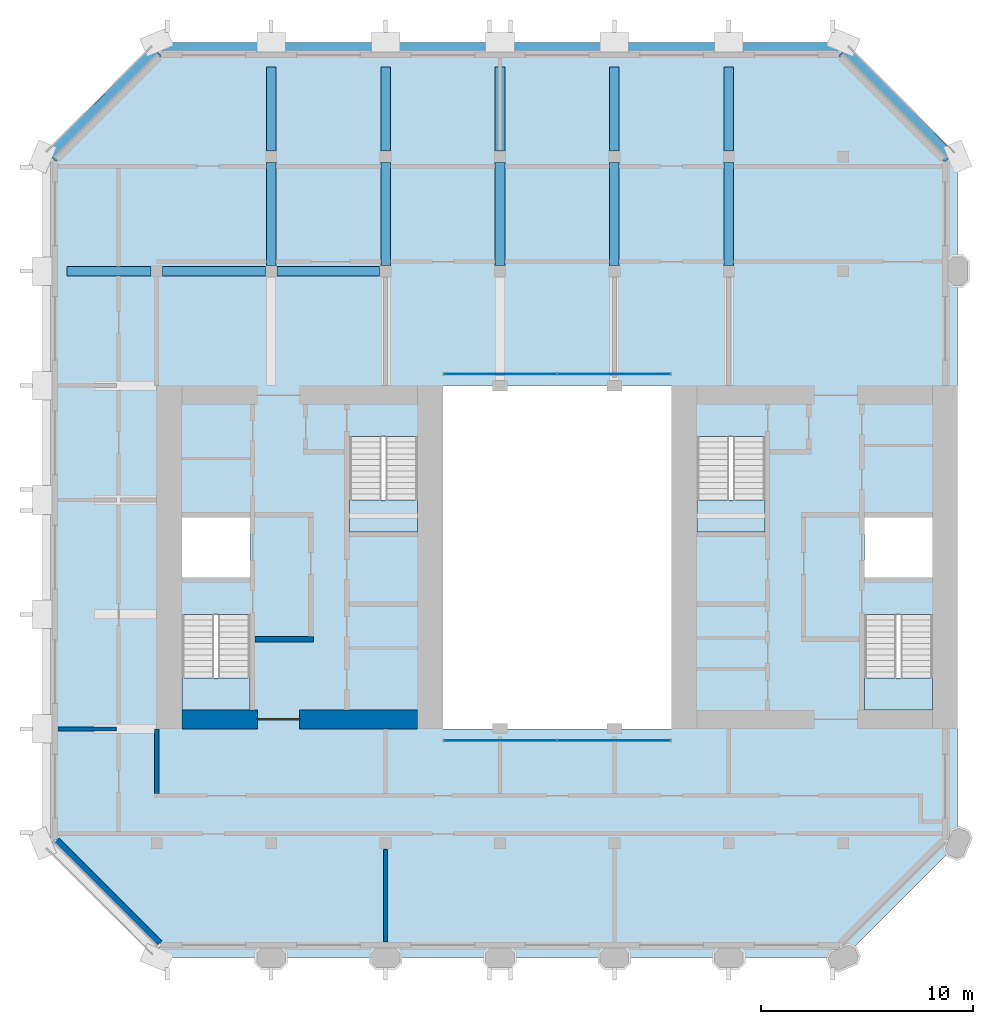
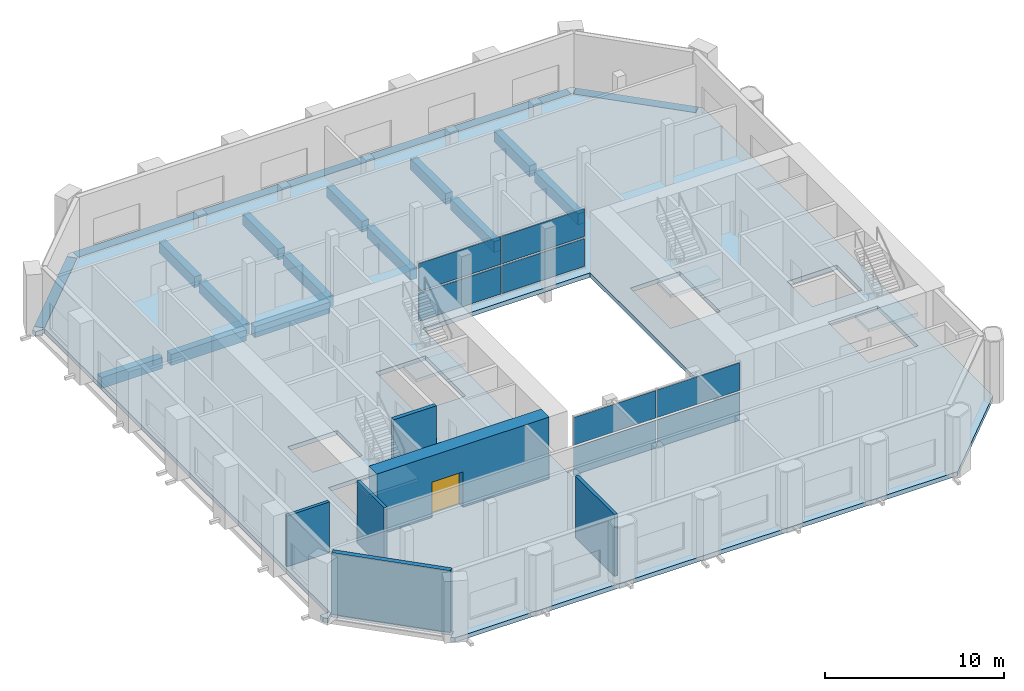
# One storey, part 5 of 11: 16 beams, 8 plates, 6 walls, 5 slabs, 1 door, 1 opening, 6 elements without a shape of their own.
"""IFC4 building model written with IfcOpenShell, lengths in metres."""

from ifc_helpers import new_model, si_unit, direction, frame, frame_2d, origin, origin_2d, place, context, subcontext, project, spatial, polyline, rectangle, outline, extrude, material, layer, layer_set, material_profile, profile_set, type_object, element, fill, aggregate, save


model = new_model("IFC4")

# Units and contexts
model_context = context("Model", 3, precision=1e-05, world=origin(), true_north=direction((0.0, 1.0)))
body_context = subcontext(model_context, "Body", "Model", "MODEL_VIEW")
ifc_project = project(units=[si_unit("LENGTHUNIT", "METRE"), si_unit("AREAUNIT", "SQUARE_METRE"), si_unit("VOLUMEUNIT", "CUBIC_METRE"), si_unit("PLANEANGLEUNIT", "RADIAN"), si_unit("MASSUNIT", "GRAM", prefix="KILO")], contexts=[model_context])

# Site, building, storey
site_placement = place(None, origin())
site = spatial("IfcSite", under=ifc_project, at=site_placement, CompositionType="ELEMENT")
building_placement = place(site_placement, origin())
building = spatial("IfcBuilding", under=site, at=building_placement, Name="Tabaq Tower and Sports Hall", CompositionType="ELEMENT")
storey_placement = place(building_placement, frame((0.0, 0.0, 312.699951171875)))
storey = spatial("IfcBuildingStorey", under=building, at=storey_placement, Name="L78", CompositionType="ELEMENT", Elevation=312.699951171875)

# Beams
ifc_material_1 = material(Name="Concrete C40/50", Category="concrete")
ifc_material_profile_1 = material_profile(ifc_material_1, rectangle(XDim=0.449951171875, YDim=0.75, at=origin_2d()), Name="CB 450x750")
ifc_profile_set_1 = profile_set([ifc_material_profile_1], Name="Concrete C40/50")
beam_type_1 = type_object("IfcBeamType", Name="PT CANTILEVER BEAM CB 450x750 C40/50", PredefinedType="BEAM", material=ifc_profile_set_1)
beam_1_placement = place(storey_placement, frame((1.175048828125, 37.800048828125, -0.675048828125), z_axis=(1.0, 0.0, 0.0), x_axis=(0.0, 1.0, 0.0)))
element("IfcBeam", 1, at=beam_1_placement, inside=storey, type_object=beam_type_1, Name="Cantilever Beam L78 W7 span 1", PredefinedType="BEAM", context=body_context, shape_type="SweptSolid", body=[
    extrude(rectangle(XDim=0.449951171875, YDim=0.75, at=origin_2d()), origin(), (0.0, 0.0, 1.0), 3.949951171875),
])
beam_2_placement = place(storey_placement, frame((5.675048828125, 37.800048828125, -0.675048828125), z_axis=(1.0, 0.0, 0.0), x_axis=(0.0, 1.0, 0.0)))
element("IfcBeam", 2, at=beam_2_placement, inside=storey, type_object=beam_type_1, Name="Cantilever Beam L78 W7 span 2", PredefinedType="BEAM", context=body_context, shape_type="SweptSolid", body=[
    extrude(rectangle(XDim=0.449951171875, YDim=0.75, at=origin_2d()), origin(), (0.0, 0.0, 1.0), 4.849853515625),
])
beam_3_placement = place(storey_placement, frame((11.074951171875, 37.800048828125, -0.675048828125), z_axis=(1.0, 0.0, 0.0), x_axis=(0.0, 1.0, 0.0)))
element("IfcBeam", 3, at=beam_3_placement, inside=storey, type_object=beam_type_1, Name="Cantilever Beam L78 W7 span 3", PredefinedType="BEAM", context=body_context, shape_type="SweptSolid", body=[
    extrude(rectangle(XDim=0.449951171875, YDim=0.75, at=origin_2d()), origin(), (0.0, 0.0, 1.0), 4.85009765625),
])
beam_4_placement = place(storey_placement, frame((10.800048828125, 47.425048828125, -0.675048828125), z_axis=(0.0, -1.0, 0.0), x_axis=(1.0, 0.0, 0.0)))
element("IfcBeam", 4, at=beam_4_placement, inside=storey, type_object=beam_type_1, Name="Cantilever Beam L78 N2 span 1", PredefinedType="BEAM", context=body_context, shape_type="SweptSolid", body=[
    extrude(rectangle(XDim=0.449951171875, YDim=0.75, at=origin_2d()), origin(), (0.0, 0.0, 1.0), 3.949951171875),
])
beam_5_placement = place(storey_placement, frame((10.800048828125, 42.925048828125, -0.675048828125), z_axis=(0.0, -1.0, 0.0), x_axis=(1.0, 0.0, 0.0)))
element("IfcBeam", 5, at=beam_5_placement, inside=storey, type_object=beam_type_1, Name="Cantilever Beam L78 N2 span 2", PredefinedType="BEAM", context=body_context, shape_type="SweptSolid", body=[
    extrude(rectangle(XDim=0.449951171875, YDim=0.75, at=origin_2d()), origin(), (0.0, 0.0, 1.0), 4.85009765625),
])
beam_6_placement = place(storey_placement, frame((16.199951171875, 47.425048828125, -0.675048828125), z_axis=(0.0, -1.0, 0.0), x_axis=(1.0, 0.0, 0.0)))
element("IfcBeam", 6, at=beam_6_placement, inside=storey, type_object=beam_type_1, Name="Cantilever Beam L78 N3 span 1", PredefinedType="BEAM", context=body_context, shape_type="SweptSolid", body=[
    extrude(rectangle(XDim=0.449951171875, YDim=0.75, at=origin_2d()), origin(), (0.0, 0.0, 1.0), 3.949951171875),
])
beam_7_placement = place(storey_placement, frame((16.199951171875, 42.925048828125, -0.675048828125), z_axis=(0.0, -1.0, 0.0), x_axis=(1.0, 0.0, 0.0)))
element("IfcBeam", 7, at=beam_7_placement, inside=storey, type_object=beam_type_1, Name="Cantilever Beam L78 N3 span 2", PredefinedType="BEAM", context=body_context, shape_type="SweptSolid", body=[
    extrude(rectangle(XDim=0.449951171875, YDim=0.75, at=origin_2d()), origin(), (0.0, 0.0, 1.0), 4.85009765625),
])
beam_8_placement = place(storey_placement, frame((21.60009765625, 47.425048828125, -0.675048828125), z_axis=(0.0, -1.0, 0.0), x_axis=(1.0, 0.0, 0.0)))
element("IfcBeam", 8, at=beam_8_placement, inside=storey, type_object=beam_type_1, Name="Cantilever Beam L78 N4 span 1", PredefinedType="BEAM", context=body_context, shape_type="SweptSolid", body=[
    extrude(rectangle(XDim=0.449951171875, YDim=0.75, at=origin_2d()), origin(), (0.0, 0.0, 1.0), 3.949951171875),
])
beam_9_placement = place(storey_placement, frame((21.60009765625, 42.925048828125, -0.675048828125), z_axis=(0.0, -1.0, 0.0), x_axis=(1.0, 0.0, 0.0)))
element("IfcBeam", 9, at=beam_9_placement, inside=storey, type_object=beam_type_1, Name="Cantilever Beam L78 N4 span 2", PredefinedType="BEAM", context=body_context, shape_type="SweptSolid", body=[
    extrude(rectangle(XDim=0.449951171875, YDim=0.75, at=origin_2d()), origin(), (0.0, 0.0, 1.0), 4.85009765625),
])
beam_10_placement = place(storey_placement, frame((27.0, 47.425048828125, -0.675048828125), z_axis=(0.0, -1.0, 0.0), x_axis=(1.0, 0.0, 0.0)))
element("IfcBeam", 10, at=beam_10_placement, inside=storey, type_object=beam_type_1, Name="Cantilever Beam L78 N5 span 1", PredefinedType="BEAM", context=body_context, shape_type="SweptSolid", body=[
    extrude(rectangle(XDim=0.449951171875, YDim=0.75, at=origin_2d()), origin(), (0.0, 0.0, 1.0), 3.949951171875),
])
beam_11_placement = place(storey_placement, frame((27.0, 42.925048828125, -0.675048828125), z_axis=(0.0, -1.0, 0.0), x_axis=(1.0, 0.0, 0.0)))
element("IfcBeam", 11, at=beam_11_placement, inside=storey, type_object=beam_type_1, Name="Cantilever Beam L78 N5 span 2", PredefinedType="BEAM", context=body_context, shape_type="SweptSolid", body=[
    extrude(rectangle(XDim=0.449951171875, YDim=0.75, at=origin_2d()), origin(), (0.0, 0.0, 1.0), 4.85009765625),
])
beam_12_placement = place(storey_placement, frame((32.39990234375, 47.425048828125, -0.675048828125), z_axis=(0.0, -1.0, 0.0), x_axis=(1.0, 0.0, 0.0)))
element("IfcBeam", 12, at=beam_12_placement, inside=storey, type_object=beam_type_1, Name="Cantilever Beam L78 N6 span 1", PredefinedType="BEAM", context=body_context, shape_type="SweptSolid", body=[
    extrude(rectangle(XDim=0.449951171875, YDim=0.75, at=origin_2d()), origin(), (0.0, 0.0, 1.0), 3.949951171875),
])
beam_13_placement = place(storey_placement, frame((32.39990234375, 42.925048828125, -0.675048828125), z_axis=(0.0, -1.0, 0.0), x_axis=(1.0, 0.0, 0.0)))
element("IfcBeam", 13, at=beam_13_placement, inside=storey, type_object=beam_type_1, Name="Cantilever Beam L78 N6 span 2", PredefinedType="BEAM", context=body_context, shape_type="SweptSolid", body=[
    extrude(rectangle(XDim=0.449951171875, YDim=0.75, at=origin_2d()), origin(), (0.0, 0.0, 1.0), 4.85009765625),
])
ifc_material_2 = material(Name="Concrete C40/50", Category="concrete")
ifc_material_profile_2 = material_profile(ifc_material_2, rectangle(XDim=0.60009765625, YDim=0.300048828125, at=origin_2d()), Name="EB 600x300")
ifc_profile_set_2 = profile_set([ifc_material_profile_2], Name="Concrete C40/50")
beam_type_2 = type_object("IfcBeamType", Name="PT EDGE BEAM EB 600x300 C40/50", PredefinedType="SPANDREL", material=ifc_profile_set_2)
beam_14_placement = place(storey_placement, frame((42.81103515625, 43.16455078125, -0.14990234375), z_axis=(-0.707089559252, 0.707124002701, 0.0), x_axis=(-0.707124002701, -0.707089559252, 0.0)))
element("IfcBeam", 14, at=beam_14_placement, inside=storey, type_object=beam_type_2, Name="Edge Beam L78 1", PredefinedType="SPANDREL", context=body_context, shape_type="SweptSolid", body=[
    extrude(rectangle(XDim=0.60009765625, YDim=0.300048828125, at=origin_2d()), origin(), (0.0, 0.0, 1.0), 7.088134765625),
])
beam_15_placement = place(storey_placement, frame((37.50146484375, 48.300048828125, -0.14990234375), z_axis=(-1.0, 0.0, 0.0), x_axis=(0.0, -1.0, 0.0)))
element("IfcBeam", 15, at=beam_15_placement, inside=storey, type_object=beam_type_2, Name="Edge Beam L78 2", PredefinedType="SPANDREL", context=body_context, shape_type="SweptSolid", body=[
    extrude(rectangle(XDim=0.60009765625, YDim=0.300048828125, at=origin_2d()), origin(), (0.0, 0.0, 1.0), 31.802978515625),
])
beam_16_placement = place(storey_placement, frame((5.401123046875, 48.1767578125, -0.14990234375), z_axis=(-0.707106781187, -0.707106781187, 0.0), x_axis=(0.707106781187, -0.707106781187, 0.0)))
element("IfcBeam", 16, at=beam_16_placement, inside=storey, type_object=beam_type_2, Name="Edge Beam L78 3", PredefinedType="SPANDREL", context=body_context, shape_type="SweptSolid", body=[
    extrude(rectangle(XDim=0.60009765625, YDim=0.300048828125, at=origin_2d()), origin(), (0.0, 0.0, 1.0), 7.03955078125),
])

# Curtain wall, plates
ifc_material_3 = material(Name="Aluminium alloy 6063-T6 framed glazing", Category="aluminium")
curtain_wall_type = type_object("IfcCurtainWallType", Name="CW1 curtain wall", PredefinedType="USERDEFINED", material=ifc_material_3)
curtain_wall_1_placement = place(storey_placement, origin())
curtain_wall_1 = element("IfcCurtainWall", 17, at=curtain_wall_1_placement, inside=storey, type_object=curtain_wall_type, Name="Atrium glazing L78 S", ObjectType="ATRIUM ENCLOSURE", PredefinedType="USERDEFINED")
ifc_material_4 = material(Name="Clear low-emissivity glass 28 mm", Category="glass")
ifc_layer_1 = layer(ifc_material_4, 0.028076171875)
ifc_layer_set_1 = layer_set([ifc_layer_1], Name="CW1 glass panel 28")
plate_type = type_object("IfcPlateType", Name="CW1 glass panel 28", PredefinedType="CURTAIN_PANEL", material=ifc_layer_set_1)
plate_1_placement = place(storey_placement, frame((21.614990234375, 15.64990234375, 0.14013671875), z_axis=(0.0, 0.0, 1.0), x_axis=(1.0, 0.0, 0.0)))
plate_1 = element("IfcPlate", 18, at=plate_1_placement, type_object=plate_type, Name="CW1 panel 1.1", PredefinedType="CURTAIN_PANEL", context=body_context, shape_type="SweptSolid", body=[
    extrude(rectangle(XDim=5.31005859375, YDim=0.028076171875, at=origin_2d()), origin(), (0.0, 0.0, 1.0), 1.889892578125),
])
plate_2_placement = place(storey_placement, frame((21.614990234375, 15.64990234375, 2.169921875), z_axis=(0.0, 0.0, 1.0), x_axis=(1.0, 0.0, 0.0)))
plate_2 = element("IfcPlate", 19, at=plate_2_placement, type_object=plate_type, Name="CW1 panel 1.2", PredefinedType="CURTAIN_PANEL", context=body_context, shape_type="SweptSolid", body=[
    extrude(rectangle(XDim=5.31005859375, YDim=0.028076171875, at=origin_2d()), origin(), (0.0, 0.0, 1.0), 1.889892578125),
])
plate_3_placement = place(storey_placement, frame((26.985107421875, 15.64990234375, 0.14013671875), z_axis=(0.0, 0.0, 1.0), x_axis=(1.0, 0.0, 0.0)))
plate_3 = element("IfcPlate", 20, at=plate_3_placement, type_object=plate_type, Name="CW1 panel 2.1", PredefinedType="CURTAIN_PANEL", context=body_context, shape_type="SweptSolid", body=[
    extrude(rectangle(XDim=5.31005859375, YDim=0.028076171875, at=origin_2d()), origin(), (0.0, 0.0, 1.0), 1.889892578125),
])
plate_4_placement = place(storey_placement, frame((26.985107421875, 15.64990234375, 2.169921875), z_axis=(0.0, 0.0, 1.0), x_axis=(1.0, 0.0, 0.0)))
plate_4 = element("IfcPlate", 21, at=plate_4_placement, type_object=plate_type, Name="CW1 panel 2.2", PredefinedType="CURTAIN_PANEL", context=body_context, shape_type="SweptSolid", body=[
    extrude(rectangle(XDim=5.31005859375, YDim=0.028076171875, at=origin_2d()), origin(), (0.0, 0.0, 1.0), 1.889892578125),
])
aggregate(curtain_wall_1, [plate_1, plate_2, plate_3, plate_4])

curtain_wall_2_placement = place(storey_placement, origin())
curtain_wall_2 = element("IfcCurtainWall", 22, at=curtain_wall_2_placement, inside=storey, type_object=curtain_wall_type, Name="Atrium glazing L78 N", ObjectType="ATRIUM ENCLOSURE", PredefinedType="USERDEFINED")
plate_5_placement = place(storey_placement, frame((21.614990234375, 32.949951171875, 0.14013671875), z_axis=(0.0, 0.0, 1.0), x_axis=(1.0, 0.0, 0.0)))
plate_5 = element("IfcPlate", 23, at=plate_5_placement, type_object=plate_type, Name="CW1 panel 1.1", PredefinedType="CURTAIN_PANEL", context=body_context, shape_type="SweptSolid", body=[
    extrude(rectangle(XDim=5.31005859375, YDim=0.028076171875, at=origin_2d()), origin(), (0.0, 0.0, 1.0), 1.889892578125),
])
plate_6_placement = place(storey_placement, frame((21.614990234375, 32.949951171875, 2.169921875), z_axis=(0.0, 0.0, 1.0), x_axis=(1.0, 0.0, 0.0)))
plate_6 = element("IfcPlate", 24, at=plate_6_placement, type_object=plate_type, Name="CW1 panel 1.2", PredefinedType="CURTAIN_PANEL", context=body_context, shape_type="SweptSolid", body=[
    extrude(rectangle(XDim=5.31005859375, YDim=0.028076171875, at=origin_2d()), origin(), (0.0, 0.0, 1.0), 1.889892578125),
])
plate_7_placement = place(storey_placement, frame((26.985107421875, 32.949951171875, 0.14013671875), z_axis=(0.0, 0.0, 1.0), x_axis=(1.0, 0.0, 0.0)))
plate_7 = element("IfcPlate", 25, at=plate_7_placement, type_object=plate_type, Name="CW1 panel 2.1", PredefinedType="CURTAIN_PANEL", context=body_context, shape_type="SweptSolid", body=[
    extrude(rectangle(XDim=5.31005859375, YDim=0.028076171875, at=origin_2d()), origin(), (0.0, 0.0, 1.0), 1.889892578125),
])
plate_8_placement = place(storey_placement, frame((26.985107421875, 32.949951171875, 2.169921875), z_axis=(0.0, 0.0, 1.0), x_axis=(1.0, 0.0, 0.0)))
plate_8 = element("IfcPlate", 26, at=plate_8_placement, type_object=plate_type, Name="CW1 panel 2.2", PredefinedType="CURTAIN_PANEL", context=body_context, shape_type="SweptSolid", body=[
    extrude(rectangle(XDim=5.31005859375, YDim=0.028076171875, at=origin_2d()), origin(), (0.0, 0.0, 1.0), 1.889892578125),
])
aggregate(curtain_wall_2, [plate_5, plate_6, plate_7, plate_8])

# Stair, slab
ifc_material_5 = material(Name="Concrete C40/50", Category="concrete")
stair_type = type_object("IfcStairType", Name="Exit stair", PredefinedType="HALF_TURN_STAIR", material=ifc_material_5)
stair_1_placement = place(storey_placement, origin())
stair_1 = element("IfcStair", 27, at=stair_1_placement, inside=storey, type_object=stair_type, Name="L78 Exit stair ST1", PredefinedType="HALF_TURN_STAIR")
ifc_material_6 = material(Name="Concrete C40/50", Category="concrete")
ifc_layer_2 = layer(ifc_material_6, 0.199951171875)
ifc_layer_set_2 = layer_set([ifc_layer_2], Name="Exit stair landing")
slab_type_1 = type_object("IfcSlabType", Name="Exit stair landing", PredefinedType="LANDING", material=ifc_layer_set_2)
slab_1_placement = place(storey_placement, frame((0.0, 0.0, 2.050048828125)))
slab_1 = element("IfcSlab", 28, at=slab_1_placement, type_object=slab_type_1, Name="ST1 landing 1", PredefinedType="LANDING", context=body_context, shape_type="SweptSolid", body=[
    extrude(outline(polyline([(6.60009765625, 18.60009765625), (6.60009765625, 17.10009765625), (9.800048828125, 17.10009765625), (9.800048828125, 18.60009765625), (6.60009765625, 18.60009765625)])), origin(), (0.0, 0.0, 1.0), 0.199951171875),
])
aggregate(stair_1, [slab_1])

stair_2_placement = place(storey_placement, origin())
stair_2 = element("IfcStair", 29, at=stair_2_placement, inside=storey, type_object=stair_type, Name="L78 Exit stair ST2", PredefinedType="HALF_TURN_STAIR")
slab_2_placement = place(storey_placement, frame((0.0, 0.0, 2.050048828125)))
slab_2 = element("IfcSlab", 30, at=slab_2_placement, type_object=slab_type_1, Name="ST2 landing 1", PredefinedType="LANDING", context=body_context, shape_type="SweptSolid", body=[
    extrude(outline(polyline([(14.5, 27.0), (14.5, 25.5), (17.699951171875, 25.5), (17.699951171875, 27.0), (14.5, 27.0)])), origin(), (0.0, 0.0, 1.0), 0.199951171875),
])
aggregate(stair_2, [slab_2])

stair_3_placement = place(storey_placement, origin())
stair_3 = element("IfcStair", 31, at=stair_3_placement, inside=storey, type_object=stair_type, Name="L78 Exit stair ST3", PredefinedType="HALF_TURN_STAIR")
slab_3_placement = place(storey_placement, frame((0.0, 0.0, 2.050048828125)))
slab_3 = element("IfcSlab", 32, at=slab_3_placement, type_object=slab_type_1, Name="ST3 landing 1", PredefinedType="LANDING", context=body_context, shape_type="SweptSolid", body=[
    extrude(outline(polyline([(38.800048828125, 18.60009765625), (38.800048828125, 17.10009765625), (42.0, 17.10009765625), (42.0, 18.60009765625), (38.800048828125, 18.60009765625)])), origin(), (0.0, 0.0, 1.0), 0.199951171875),
])
aggregate(stair_3, [slab_3])

stair_4_placement = place(storey_placement, origin())
stair_4 = element("IfcStair", 33, at=stair_4_placement, inside=storey, type_object=stair_type, Name="L78 Exit stair ST4", PredefinedType="HALF_TURN_STAIR")
slab_4_placement = place(storey_placement, frame((0.0, 0.0, 2.050048828125)))
slab_4 = element("IfcSlab", 34, at=slab_4_placement, type_object=slab_type_1, Name="ST4 landing 1", PredefinedType="LANDING", context=body_context, shape_type="SweptSolid", body=[
    extrude(outline(polyline([(30.89990234375, 27.0), (30.89990234375, 25.5), (34.10009765625, 25.5), (34.10009765625, 27.0), (30.89990234375, 27.0)])), origin(), (0.0, 0.0, 1.0), 0.199951171875),
])
aggregate(stair_4, [slab_4])

# Slab
ifc_material_7 = material(Name="Concrete C40/50", Category="concrete")
ifc_layer_3 = layer(ifc_material_7, 0.300048828125)
ifc_layer_set_3 = layer_set([ifc_layer_3], Name="PT FLOOR SLAB 300 C40/50")
slab_type_2 = type_object("IfcSlabType", Name="PT FLOOR SLAB 300 C40/50", PredefinedType="FLOOR", material=ifc_layer_set_3)
slab_5_placement = place(storey_placement, frame((0.0, 0.0, -0.300048828125)))
element("IfcSlab", 35, at=slab_5_placement, inside=storey, type_object=slab_type_2, Name="Floor Slab L78", PredefinedType="FLOOR", context=body_context, shape_type="SweptSolid", body=[
    extrude(outline(polyline([(0.0, 11.0986328125), (0.0, 10.800048828125), (0.211181640625, 10.5888671875), (0.63525390625, 11.01318359375), (5.6474609375, 6.0009765625), (5.57666015625, 5.930419921875), (5.22314453125, 5.57666015625), (5.39990234375, 5.39990234375), (37.800048828125, 5.39990234375), (43.199951171875, 10.800048828125), (43.199951171875, 43.199951171875), (43.023193359375, 43.376708984375), (42.669677734375, 43.023193359375), (42.598876953125, 42.952392578125), (37.5869140625, 47.964599609375), (37.657470703125, 48.035400390625), (38.010986328125, 48.388916015625), (37.800048828125, 48.60009765625), (37.50146484375, 48.60009765625), (37.50146484375, 48.10009765625), (37.50146484375, 48.0), (5.698486328125, 48.0), (5.698486328125, 48.10009765625), (5.698486328125, 48.60009765625), (5.39990234375, 48.60009765625), (5.18896484375, 48.388916015625), (5.54248046875, 48.035400390625), (5.61328125, 47.964599609375), (0.63525390625, 42.98681640625), (0.211181640625, 43.4111328125), (0.0, 43.199951171875), (0.0, 42.9013671875), (0.5, 42.9013671875), (0.60009765625, 42.9013671875), (0.60009765625, 11.0986328125), (0.5, 11.0986328125), (0.0, 11.0986328125)]), holes=[polyline([(6.60009765625, 17.10009765625), (6.60009765625, 21.599365234375), (9.800048828125, 21.599365234375), (9.800048828125, 17.10009765625), (6.60009765625, 17.10009765625)]), polyline([(38.800048828125, 21.599365234375), (42.0, 21.599365234375), (42.0, 17.10009765625), (38.800048828125, 17.10009765625), (38.800048828125, 21.599365234375)]), polyline([(18.89990234375, 16.199951171875), (18.89990234375, 32.39990234375), (29.699951171875, 32.39990234375), (29.699951171875, 16.199951171875), (18.89990234375, 16.199951171875)]), polyline([(6.60009765625, 26.175048828125), (9.800048828125, 26.175048828125), (9.800048828125, 23.35009765625), (6.60009765625, 23.35009765625), (6.60009765625, 26.175048828125)]), polyline([(38.800048828125, 26.175048828125), (42.0, 26.175048828125), (42.0, 23.35009765625), (38.800048828125, 23.35009765625), (38.800048828125, 26.175048828125)]), polyline([(14.5, 29.99951171875), (17.699951171875, 29.99951171875), (17.699951171875, 25.5), (14.5, 25.5), (14.5, 29.99951171875)]), polyline([(30.89990234375, 29.99951171875), (34.10009765625, 29.99951171875), (34.10009765625, 25.5), (30.89990234375, 25.5), (30.89990234375, 29.99951171875)])]), origin(), (0.0, 0.0, 1.0), 0.300048828125),
])

# Wall, opening, door
ifc_material_8 = material(Name="Concrete C40/50", Category="concrete")
ifc_layer_4 = layer(ifc_material_8, 0.89990234375)
ifc_layer_set_4 = layer_set([ifc_layer_4], Name="Core wall 900 Concrete C40/50")
wall_type_1 = type_object("IfcWallType", Name="Core wall 900 Concrete C40/50", PredefinedType="SOLIDWALL", material=ifc_layer_set_4)
wall_1_placement = place(storey_placement, frame((17.699951171875, 16.64990234375, 0.0), z_axis=(0.0, 0.0, 1.0), x_axis=(-1.0, 0.0, 0.0)))
wall_1 = element("IfcWall", 36, at=wall_1_placement, inside=storey, type_object=wall_type_1, Name="Core wall W L78", PredefinedType="SOLIDWALL", context=body_context, shape_type="SweptSolid", body=[
    extrude(rectangle(XDim=11.099853515625, YDim=0.89990234375, at=frame_2d((5.5498046875, 0.0))), origin(), (0.0, 0.0, 1.0), 4.199951171875),
])
opening_placement = place(wall_1_placement, frame((5.550048828125, 0.0, 0.0)))
opening = element("IfcOpeningElement", 37, at=opening_placement, cuts=wall_1, Name="Opening PD-WL78-01", PredefinedType="OPENING", context=body_context, shape_type="SweptSolid", body=[
    extrude(rectangle(XDim=2.0, YDim=2.39990234375, at=frame_2d((1.0, 1.199951171875))), frame((0.0, 0.449951171875, 0.0), z_axis=(0.0, -1.0, 0.0), x_axis=(1.0, 0.0, 0.0)), (0.0, 0.0, 1.0), 0.89990234375),
])
ifc_material_9 = material(Name="Steel fire door", Category="steel")
door_type = type_object("IfcDoorType", Name="Core entrance door 2000", OperationType="DOUBLE_DOOR_SINGLE_SWING", PredefinedType="DOOR", material=ifc_material_9)
door_placement = place(opening_placement, origin())
door = element("IfcDoor", 38, at=door_placement, inside=storey, type_object=door_type, Name="Core entrance south W L78", OperationType="DOUBLE_DOOR_SINGLE_SWING", OverallHeight=2.39990234375, OverallWidth=2.0, PredefinedType="DOOR", context=body_context, shape_type="SweptSolid", body=[
    extrude(rectangle(XDim=2.0, YDim=2.39990234375, at=frame_2d((1.0, 1.199951171875))), frame((0.0, 0.02490234375, 0.0), z_axis=(0.0, -1.0, 0.0), x_axis=(1.0, 0.0, 0.0)), (0.0, 0.0, 1.0), 0.050048828125),
])
fill(opening, door)

# Walls
ifc_material_10 = material(Name="Blockwork", Category="masonry")
ifc_layer_5 = layer(ifc_material_10, 0.199951171875)
ifc_layer_set_5 = layer_set([ifc_layer_5], Name="Fire compartment wall 200 Blockwork")
wall_type_2 = type_object("IfcWallType", Name="Fire compartment wall 200 Blockwork", PredefinedType="PARTITIONING", material=ifc_layer_set_5)
wall_2_placement = place(storey_placement, frame((3.5, 16.199951171875, 0.0), z_axis=(0.0, 0.0, 1.0), x_axis=(-1.0, 0.0, 0.0)))
element("IfcWall", 39, at=wall_2_placement, inside=storey, type_object=wall_type_2, Name="Compartment wall L78", PredefinedType="PARTITIONING", context=body_context, shape_type="SweptSolid", body=[
    extrude(rectangle(XDim=2.7490234375, YDim=0.199951171875, at=frame_2d((1.37451171875, 0.0))), origin(), (0.0, 0.0, 1.0), 3.449951171875),
])
wall_3_placement = place(storey_placement, frame((16.199951171875, 10.5048828125, 0.0), z_axis=(0.0, 0.0, 1.0), x_axis=(0.0, -1.0, 0.0)))
element("IfcWall", 40, at=wall_3_placement, inside=storey, type_object=wall_type_2, Name="Compartment wall L78", PredefinedType="PARTITIONING", context=body_context, shape_type="SweptSolid", body=[
    extrude(rectangle(XDim=4.35400390625, YDim=0.199951171875, at=frame_2d((2.177001953125, 0.0))), origin(), (0.0, 0.0, 1.0), 4.199951171875),
])
wall_4_placement = place(storey_placement, frame((5.39990234375, 16.199951171875, 0.0), z_axis=(0.0, 0.0, 1.0), x_axis=(0.0, -1.0, 0.0)))
element("IfcWall", 41, at=wall_4_placement, inside=storey, type_object=wall_type_2, Name="Compartment wall L78", PredefinedType="PARTITIONING", context=body_context, shape_type="SweptSolid", body=[
    extrude(rectangle(XDim=3.050048828125, YDim=0.199951171875, at=frame_2d((1.52490234375, 0.0))), origin(), (0.0, 0.0, 1.0), 4.199951171875),
])
ifc_material_11 = material(Name="Concrete C40/50", Category="concrete")
ifc_layer_6 = layer(ifc_material_11, 0.25)
ifc_layer_set_6 = layer_set([ifc_layer_6], Name="Shaft and stair wall 250 Concrete C40/50")
wall_type_3 = type_object("IfcWallType", Name="Shaft and stair wall 250 Concrete C40/50", PredefinedType="SOLIDWALL", material=ifc_layer_set_6)
wall_5_placement = place(storey_placement, frame((10.050048828125, 20.425048828125, 0.0), z_axis=(0.0, 0.0, 1.0), x_axis=(1.0, 0.0, 0.0)))
element("IfcWall", 42, at=wall_5_placement, inside=storey, type_object=wall_type_3, Name="Fire-fighting lobby wall W L78", PredefinedType="SOLIDWALL", context=body_context, shape_type="SweptSolid", body=[
    extrude(rectangle(XDim=2.75, YDim=0.25, at=frame_2d((1.375, 0.0))), origin(), (0.0, 0.0, 1.0), 4.199951171875),
])
ifc_material_12 = material(Name="White precast concrete C60/75", Category="concrete")
ifc_layer_7 = layer(ifc_material_12, 0.300048828125)
ifc_layer_set_7 = layer_set([ifc_layer_7], Name="White precast concrete C60/75 external wall 300")
wall_type_4 = type_object("IfcWallType", Name="White precast concrete C60/75 external wall 300", PredefinedType="SOLIDWALL", material=ifc_layer_set_7)
wall_6_placement = place(storey_placement, frame((0.698974609375, 10.949462890625, 0.0), z_axis=(0.0, 0.0, 1.0), x_axis=(0.707106781187, -0.707106781187, 0.0)))
element("IfcWall", 43, at=wall_6_placement, inside=storey, type_object=wall_type_4, Name="External Wall L78 SW", PredefinedType="SOLIDWALL", context=body_context, shape_type="SweptSolid", body=[
    extrude(outline(polyline([(0.0, 0.0), (6.85986328125, 0.0), (6.859619140625, 4.199951171875), (6.2880859375, 4.199951171875), (5.71630859375, 4.199951171875), (5.144775390625, 4.199951171875), (4.5732421875, 4.199951171875), (4.00146484375, 4.199951171875), (3.429931640625, 4.199951171875), (2.858154296875, 4.199951171875), (2.28662109375, 4.199951171875), (1.71484375, 4.199951171875), (1.143310546875, 4.199951171875), (0.571533203125, 4.199951171875), (0.0, 4.199951171875), (0.0, 0.0)])), frame((0.0, 0.14990234375, 0.0), z_axis=(0.0, -1.0, 0.0), x_axis=(1.0, 0.0, 0.0)), (0.0, 0.0, 1.0), 0.300048828125),
])

save(model, "model.ifc")
